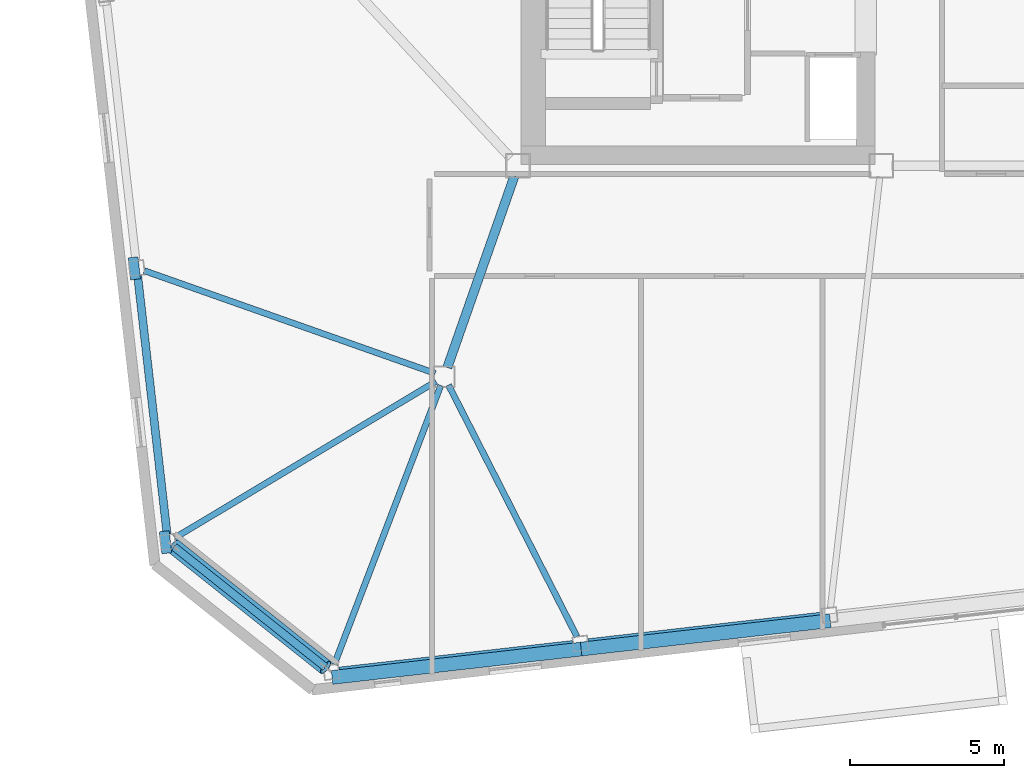
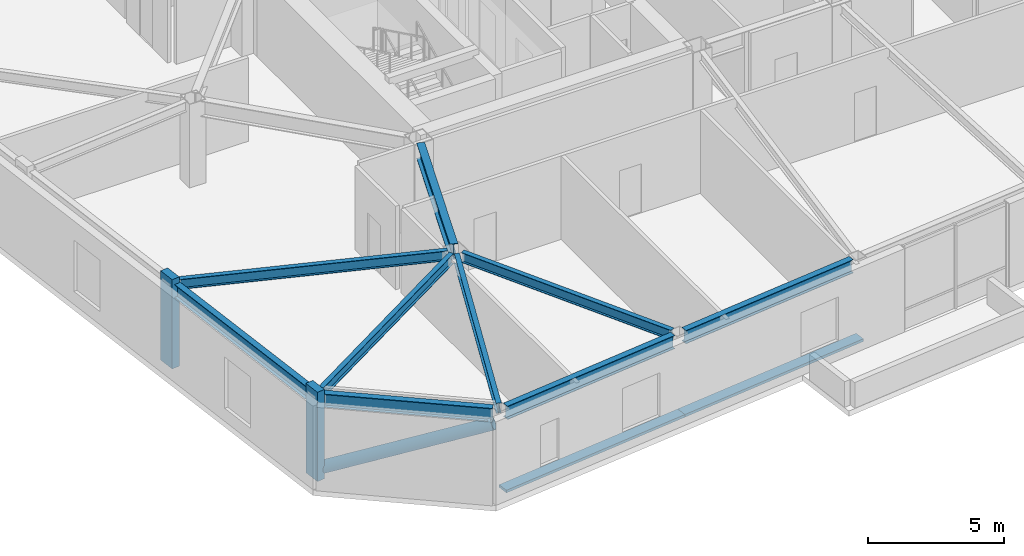
# One storey, part 3 of 18: 9 beams, 5 members.
"""IFC4 building model written with IfcOpenShell, lengths in metres."""

from ifc_helpers import new_model, si_unit, direction, frame, origin, origin_2d, place, context, subcontext, project, spatial, rectangle, hollow_circle, i_section, extrude, material, material_profile, profile_set, type_object, element, save


model = new_model("IFC4")

# Units and contexts
model_context = context("Model", 3, precision=1e-05, world=origin(), true_north=direction((0.0, 1.0)))
body_context = subcontext(model_context, "Body", "Model", "MODEL_VIEW")
ifc_project = project(units=[si_unit("LENGTHUNIT", "METRE"), si_unit("AREAUNIT", "SQUARE_METRE"), si_unit("VOLUMEUNIT", "CUBIC_METRE"), si_unit("PLANEANGLEUNIT", "RADIAN"), si_unit("MASSUNIT", "GRAM", prefix="KILO")], contexts=[model_context])

# Site, building, storey
site_placement = place(None, origin())
site = spatial("IfcSite", under=ifc_project, at=site_placement, CompositionType="ELEMENT")
building_placement = place(site_placement, origin())
building = spatial("IfcBuilding", under=site, at=building_placement, Name="Tavrogorsk Clinical Tower", CompositionType="ELEMENT")
storey_placement = place(building_placement, frame((0.0, 0.0, 230.199951171875)))
storey = spatial("IfcBuildingStorey", under=building, at=storey_placement, Name="L53", CompositionType="ELEMENT", Elevation=230.199951171875)

# Members
ifc_material_1 = material(Name="Anodised aluminium alloy AW-6063", Category="aluminium")
ifc_material_profile_1 = material_profile(ifc_material_1, rectangle(XDim=0.449951171875, YDim=0.1201171875, at=origin_2d()), Name="ALU-SUNSHADE-450x120")
ifc_profile_set_1 = profile_set([ifc_material_profile_1], Name="Anodised aluminium alloy AW-6063")
member_type_1 = type_object("IfcMemberType", Name="ChicagoSunshade_450x120", PredefinedType="USERDEFINED", material=ifc_profile_set_1)
for number, where, z_axis, x_axis, name in (
    (1, (-28.144287109375, -22.981201171875, 0.179931640625), (0.9935729766, 0.113193375116, 0.0), (-0.113193375116, 0.9935729766, 0.0), "L53 South Aluminium Sunshade S1"),
    (2, (-20.048095703125, -22.058837890625, 0.179931640625), (0.9935729766, 0.113193375116, 0.0), (-0.113193375116, 0.9935729766, 0.0), "L53 South Aluminium Sunshade S2"),
):
    element("IfcMember", number, at=place(storey_placement, frame(where, z_axis=z_axis, x_axis=x_axis)), inside=storey, type_object=member_type_1, Name=name, ObjectType="SUNSHADE", PredefinedType="USERDEFINED", context=body_context, shape_type="SweptSolid", body=[
        extrude(rectangle(XDim=0.449951171875, YDim=0.1201171875, at=origin_2d()), origin(), (0.0, 0.0, 1.0), 8.148681640625),
    ])
ifc_material_2 = material(Name="Structural steel S440", Category="steel")
ifc_material_profile_2 = material_profile(ifc_material_2, hollow_circle(Radius=0.25390625, WallThickness=0.02001953125, at=origin_2d()), Name="CHS-508x20")
ifc_profile_set_2 = profile_set([ifc_material_profile_2], Name="Structural steel S440")
member_type_2 = type_object("IfcMemberType", Name="ExoBrace_CHS508", PredefinedType="BRACE", material=ifc_profile_set_2)
member_placement = place(storey_placement, frame((-33.29052734375, -18.725341796875, 0.398193359375), z_axis=(0.723851679348, -0.575789482159, 0.380138420237), x_axis=(0.622522488852, 0.782601910855, 0.0)))
element("IfcMember", 3, at=member_placement, inside=storey, type_object=member_type_2, Name="L53 Corner Exoskeleton Brace W5-S1", PredefinedType="BRACE", context=body_context, shape_type="SweptSolid", body=[
    extrude(hollow_circle(Radius=0.25390625, WallThickness=0.02001953125, at=origin_2d()), origin(), (0.0, 0.0, 1.0), 6.8232421875),
])

# Beams
ifc_material_3 = material(Name="Structural steel S355", Category="steel")
ifc_material_profile_3 = material_profile(ifc_material_3, i_section(OverallWidth=0.199951171875, OverallDepth=0.449951171875, WebThickness=0.011474609375, FlangeThickness=0.01806640625, at=origin_2d()), Name="B-450x200x11.5x18")
ifc_profile_set_3 = profile_set([ifc_material_profile_3], Name="Structural steel S355")
beam_type_1 = type_object("IfcBeamType", Name="FloorBeam_B450", PredefinedType="BEAM", material=ifc_profile_set_3)
beam_1_placement = place(storey_placement, frame((-24.610595703125, -13.489501953125, 3.51513671875), z_axis=(-0.356548354426, -0.93427687061, 0.0), x_axis=(0.93427687061, -0.356548354426, 0.0)))
element("IfcBeam", 4, at=beam_1_placement, inside=storey, type_object=beam_type_1, Name="L53 Radial Floor Beam S1", PredefinedType="BEAM", context=body_context, shape_type="SweptSolid", body=[
    extrude(i_section(OverallWidth=0.199951171875, OverallDepth=0.449951171875, WebThickness=0.011474609375, FlangeThickness=0.01806640625, at=origin_2d()), origin(), (0.0, 0.0, 1.0), 9.710205078125),
])
beam_2_placement = place(storey_placement, frame((-24.359130859375, -13.47607421875, 3.51513671875), z_axis=(0.454709818127, -0.890639647275, 0.0), x_axis=(0.890639647275, 0.454709818127, 0.0)))
element("IfcBeam", 5, at=beam_2_placement, inside=storey, type_object=beam_type_1, Name="L53 Radial Floor Beam S2", PredefinedType="BEAM", context=body_context, shape_type="SweptSolid", body=[
    extrude(i_section(OverallWidth=0.199951171875, OverallDepth=0.449951171875, WebThickness=0.011474609375, FlangeThickness=0.01806640625, at=origin_2d()), origin(), (0.0, 0.0, 1.0), 9.177978515625),
])
beam_3_placement = place(storey_placement, frame((-24.792236328125, -13.096923828125, 3.51513671875), z_axis=(-0.943014153926, 0.332752619067, 0.0), x_axis=(-0.332752619067, -0.943014153926, 0.0)))
element("IfcBeam", 6, at=beam_3_placement, inside=storey, type_object=beam_type_1, Name="L53 Radial Floor Beam W4", PredefinedType="BEAM", context=body_context, shape_type="SweptSolid", body=[
    extrude(i_section(OverallWidth=0.199951171875, OverallDepth=0.449951171875, WebThickness=0.011474609375, FlangeThickness=0.01806640625, at=origin_2d()), origin(), (0.0, 0.0, 1.0), 10.027587890625),
])
beam_4_placement = place(storey_placement, frame((-24.765869140625, -13.359375, 3.51513671875), z_axis=(-0.857906237315, -0.513806274754, 0.0), x_axis=(0.513806274754, -0.857906237315, 0.0)))
element("IfcBeam", 7, at=beam_4_placement, inside=storey, type_object=beam_type_1, Name="L53 Radial Floor Beam W5", PredefinedType="BEAM", context=body_context, shape_type="SweptSolid", body=[
    extrude(i_section(OverallWidth=0.199951171875, OverallDepth=0.449951171875, WebThickness=0.011474609375, FlangeThickness=0.01806640625, at=origin_2d()), origin(), (0.0, 0.0, 1.0), 9.896240234375),
])

# Members
ifc_material_4 = material(Name="Precast concrete B45 with limestone cladding", Category="masonry")
ifc_material_profile_4 = material_profile(ifc_material_4, rectangle(XDim=0.320068359375, YDim=0.719970703125, at=origin_2d()), Name="LIMESTONE-FIN-320x720")
ifc_profile_set_4 = profile_set([ifc_material_profile_4], Name="Precast concrete B45 with limestone cladding")
member_type_3 = type_object("IfcMemberType", Name="LimestonePleatFin_320x720", PredefinedType="USERDEFINED", material=ifc_profile_set_4)
for number, where, z_axis, x_axis, name in (
    (8, (-34.571044921875, -9.683349609375, 0.0), (0.0, 0.0, 1.0), (0.993571855677, 0.113203213768, 0.0), "L53 W Pleated Stone Fin 3"),
    (9, (-33.556640625, -18.585693359375, 0.0), (0.0, 0.0, 1.0), (0.993571855677, 0.113203213768, 0.0), "L53 W Pleated Stone Fin 4"),
):
    element("IfcMember", number, at=place(storey_placement, frame(where, z_axis=z_axis, x_axis=x_axis)), inside=storey, type_object=member_type_3, Name=name, ObjectType="FIN", PredefinedType="USERDEFINED", context=body_context, shape_type="SweptSolid", body=[
        extrude(rectangle(XDim=0.320068359375, YDim=0.719970703125, at=origin_2d()), origin(), (0.0, 0.0, 1.0), 4.0),
    ])

# Beams
ifc_material_5 = material(Name="Structural steel S390", Category="steel")
ifc_material_profile_5 = material_profile(ifc_material_5, i_section(OverallWidth=0.300048828125, OverallDepth=0.699951171875, WebThickness=0.01708984375, FlangeThickness=0.028076171875, at=origin_2d()), Name="B-700x300x17x28")
ifc_profile_set_5 = profile_set([ifc_material_profile_5], Name="Structural steel S390")
beam_type_2 = type_object("IfcBeamType", Name="PrimaryGirder_B700", PredefinedType="USERDEFINED", material=ifc_profile_set_5)
beam_5_placement = place(storey_placement, frame((-24.3974609375, -12.907470703125, 3.39013671875), z_axis=(0.330654121425, 0.943752007672, 0.0), x_axis=(-0.943752007672, 0.330654121425, 0.0)))
element("IfcBeam", 10, at=beam_5_placement, inside=storey, type_object=beam_type_2, Name="L53 Spine Link Girder OPG-1", ObjectType="GIRDER", PredefinedType="USERDEFINED", context=body_context, shape_type="SweptSolid", body=[
    extrude(i_section(OverallWidth=0.300048828125, OverallDepth=0.699951171875, WebThickness=0.01708984375, FlangeThickness=0.028076171875, at=origin_2d()), origin(), (0.0, 0.0, 1.0), 6.58837890625),
])
ifc_material_6 = material(Name="Structural steel S390", Category="steel")
ifc_material_profile_6 = material_profile(ifc_material_6, i_section(OverallWidth=0.260009765625, OverallDepth=0.60009765625, WebThickness=0.014892578125, FlangeThickness=0.02392578125, at=origin_2d()), Name="B-600x260x15x24")
ifc_profile_set_6 = profile_set([ifc_material_profile_6], Name="Structural steel S390")
beam_type_3 = type_object("IfcBeamType", Name="SpandrelBeam_B600", PredefinedType="SPANDREL", material=ifc_profile_set_6)
for number, where, z_axis, x_axis, name in (
    (11, (-27.908447265625, -22.773193359375, 3.43994140625), (0.993575697004, 0.113169493787, 0.0), (-0.113169493787, 0.993575697004, 0.0), "L53 Perimeter Spandrel S1-S2"),
    (12, (-19.812255859375, -21.850830078125, 3.43994140625), (0.993572099834, 0.113201070804, 0.0), (-0.113201070804, 0.993572099834, 0.0), "L53 Perimeter Spandrel S2-S3"),
):
    element("IfcBeam", number, at=place(storey_placement, frame(where, z_axis=z_axis, x_axis=x_axis)), inside=storey, type_object=beam_type_3, Name=name, PredefinedType="SPANDREL", context=body_context, shape_type="SweptSolid", body=[
        extrude(i_section(OverallWidth=0.260009765625, OverallDepth=0.60009765625, WebThickness=0.014892578125, FlangeThickness=0.02392578125, at=origin_2d()), origin(), (0.0, 0.0, 1.0), 7.632568359375),
    ])
beam_6_placement = place(storey_placement, frame((-34.46240234375, -9.9306640625, 3.43994140625), z_axis=(0.113223671813, -0.993569524563, 0.0), x_axis=(0.993569524563, 0.113223671813, 0.0)))
element("IfcBeam", 13, at=beam_6_placement, inside=storey, type_object=beam_type_3, Name="L53 Perimeter Spandrel W4-W5", PredefinedType="SPANDREL", context=body_context, shape_type="SweptSolid", body=[
    extrude(i_section(OverallWidth=0.260009765625, OverallDepth=0.60009765625, WebThickness=0.014892578125, FlangeThickness=0.02392578125, at=origin_2d()), origin(), (0.0, 0.0, 1.0), 8.44384765625),
])
beam_7_placement = place(storey_placement, frame((-33.275390625, -18.7373046875, 3.43994140625), z_axis=(0.782608811853, -0.622513813188, 0.0), x_axis=(0.622513813188, 0.782608811853, 0.0)))
element("IfcBeam", 14, at=beam_7_placement, inside=storey, type_object=beam_type_3, Name="L53 Perimeter Spandrel W5-S1", PredefinedType="SPANDREL", context=body_context, shape_type="SweptSolid", body=[
    extrude(i_section(OverallWidth=0.260009765625, OverallDepth=0.60009765625, WebThickness=0.014892578125, FlangeThickness=0.02392578125, at=origin_2d()), origin(), (0.0, 0.0, 1.0), 6.272216796875),
])

save(model, "model.ifc")
